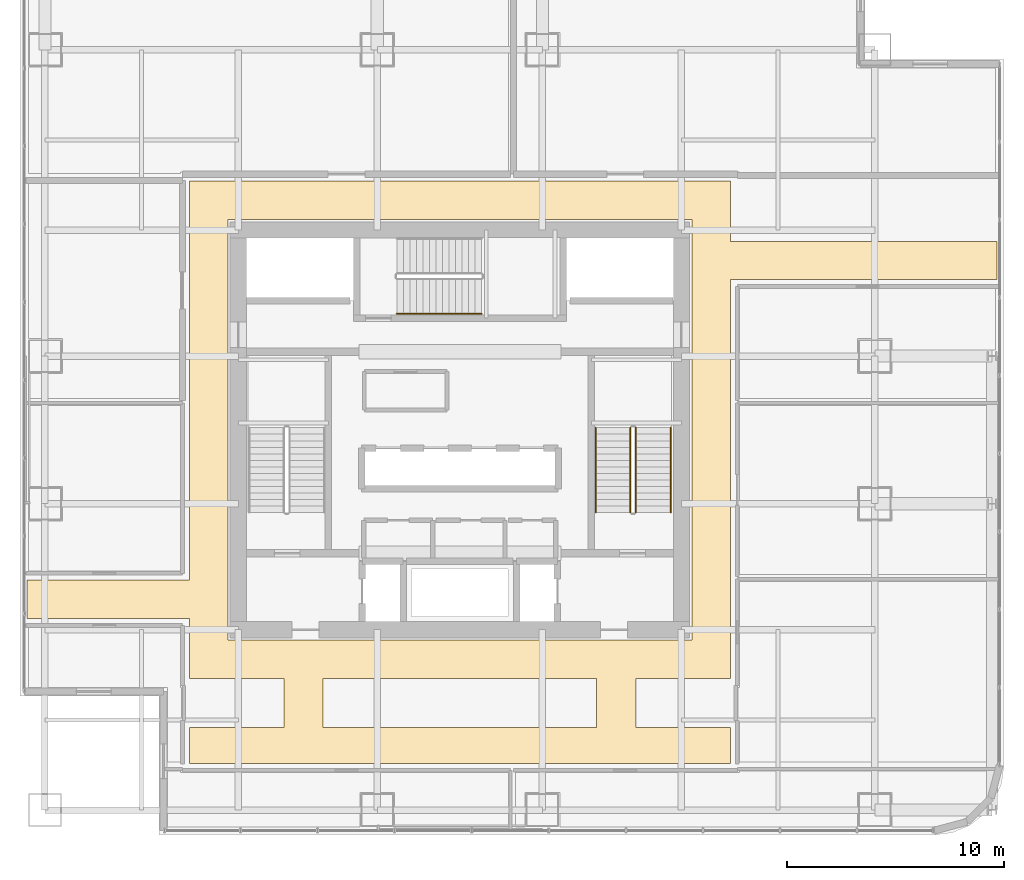
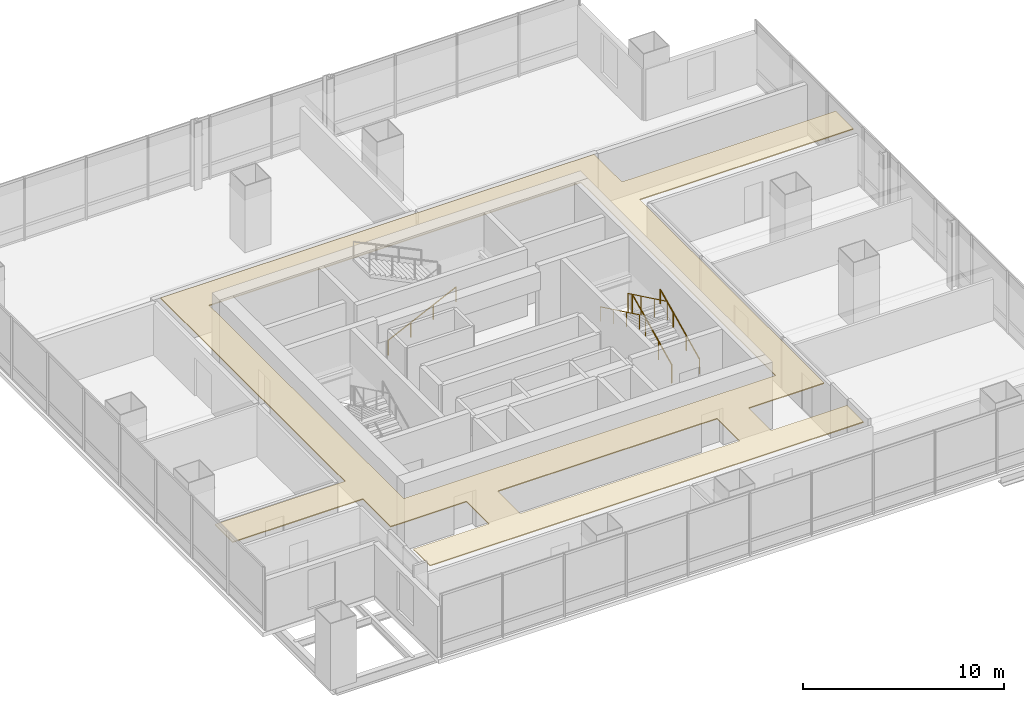
# One storey, part 33 of 35: 5 railings, 1 covering.
"""IFC4 building model written with IfcOpenShell, lengths in metres."""

import ifcopenshell
import ifcopenshell.guid

model = None  # the IFC model being written
_history = None  # IfcOwnerHistory: only IFC2X3 demands one
_inside = {}  # id of a spatial element -> (the spatial element, [elements in it])
_under = {}  # id of a project, library or spatial element -> (it, [spatial elements below it])
_declared = {}  # id of a project -> (the project, [libraries it declares])
_typed = {}  # id of a type object -> (the type object, [elements of that type])
_made_of = {}  # id of a material, layer set ... -> (it, [elements and type objects made of it])


def new_model(schema):
    """Start an empty IFC model of exactly this schema.

    Asked for "IFC4X3", IfcOpenShell would pick the latest addendum, in which some entities
    have other attributes; the version numbers below select the first issue.
    IFC2X3 requires an IfcOwnerHistory on every rooted entity: one is made here for all.
    """
    global model, _history
    if schema == "IFC4X3":
        model = ifcopenshell.file(schema_version=(4, 3, 0, 0))
    else:
        model = ifcopenshell.file(schema=schema)
    _inside.clear()
    _under.clear()
    _declared.clear()
    _typed.clear()
    _made_of.clear()
    _history = None
    if model.schema == "IFC2X3":
        org = make("IfcOrganization", Name="unknown")
        user = make(
            "IfcPersonAndOrganization",
            ThePerson=make("IfcPerson", FamilyName="unknown"),
            TheOrganization=org,
        )
        app = make(
            "IfcApplication",
            ApplicationDeveloper=org,
            Version="unknown",
            ApplicationFullName="unknown",
            ApplicationIdentifier="unknown",
        )
        _history = make(
            "IfcOwnerHistory",
            OwningUser=user,
            OwningApplication=app,
            ChangeAction="ADDED",
            CreationDate=0,
        )
    return model


def make(cls, **values):
    """One entity of the class cls with the attributes given. An attribute that is None is left unset."""
    return model.create_entity(
        cls, **{name: value for name, value in values.items() if value is not None}
    )


def rooted(cls, **values):
    """An entity with a GlobalId (a new one), such as an element, a storey or a relation."""
    return make(cls, GlobalId=ifcopenshell.guid.new(), OwnerHistory=_history, **values)


def si_unit(unit_type, name, prefix=None):
    """IfcSIUnit, for example si_unit("LENGTHUNIT", "METRE", prefix="MILLI")."""
    return make("IfcSIUnit", UnitType=unit_type, Prefix=prefix, Name=name)


def assignment(units):
    """IfcUnitAssignment: the units of a project."""
    return None if units is None else make("IfcUnitAssignment", Units=units)


def point(xyz):
    """IfcCartesianPoint."""
    return None if xyz is None else make("IfcCartesianPoint", Coordinates=xyz)


def direction(xyz):
    """IfcDirection."""
    return None if xyz is None else make("IfcDirection", DirectionRatios=xyz)


def frame(location, z_axis=None, x_axis=None):
    """IfcAxis2Placement3D, a coordinate frame: its origin and axes. An axis left out is left unset."""
    return make(
        "IfcAxis2Placement3D",
        Location=point(location),
        Axis=direction(z_axis),
        RefDirection=direction(x_axis),
    )


def frame_2d(location, x_axis=None):
    """IfcAxis2Placement2D, a coordinate frame in the plane: its origin and x axis."""
    return make(
        "IfcAxis2Placement2D", Location=point(location), RefDirection=direction(x_axis)
    )


def origin():
    """The frame at (0, 0, 0) with its axes left unset."""
    return frame((0.0, 0.0, 0.0))


def origin_2d():
    """The frame at (0, 0) in the plane with its x axis left unset."""
    return frame_2d((0.0, 0.0))


def place(relative_to, where):
    """IfcLocalPlacement: puts the frame where relative to a parent placement (None: the world)."""
    return make(
        "IfcLocalPlacement", PlacementRelTo=relative_to, RelativePlacement=where
    )


def context(
    kind, dimensions, precision=None, world=None, true_north=None, identifier=None
):
    """IfcGeometricRepresentationContext, for example the 3D "Model" context."""
    return make(
        "IfcGeometricRepresentationContext",
        ContextIdentifier=identifier,
        ContextType=kind,
        CoordinateSpaceDimension=dimensions,
        Precision=precision,
        WorldCoordinateSystem=world,
        TrueNorth=true_north,
    )


def subcontext(parent, identifier, kind, view, scale=None):
    """IfcGeometricRepresentationSubContext, for example "Body" below "Model"."""
    return make(
        "IfcGeometricRepresentationSubContext",
        ContextIdentifier=identifier,
        ContextType=kind,
        ParentContext=parent,
        TargetScale=scale,
        TargetView=view,
    )


def project(units=None, contexts=None):
    """IfcProject with its units and contexts."""
    return rooted(
        "IfcProject",
        Name="project",
        RepresentationContexts=contexts,
        UnitsInContext=assignment(units),
    )


def spatial(cls, under=None, at=None, **own):
    """A site, building, storey or space (cls), placed at a placement, below another one or the project."""
    s = rooted(cls, ObjectPlacement=at, **own)
    if under is not None:
        _under.setdefault(under.id(), (under, []))[1].append(s)
    return s


def polyline(points):
    """IfcPolyline through the points."""
    return make("IfcPolyline", Points=[point(p) for p in points])


def profile(cls, at=None, kind="AREA", **sizes):
    """A parametric profile (cls). Its sizes go by their IFC names, for example OverallWidth=200.0."""
    return make(cls, ProfileType=kind, Position=at, **sizes)


def circle(**sizes):
    """IfcCircleProfileDef."""
    return profile("IfcCircleProfileDef", **sizes)


def outline(outer, holes=None, kind="AREA"):
    """IfcArbitraryClosedProfileDef: a profile drawn as a closed curve; with holes, ...WithVoids."""
    if holes is None:
        return make("IfcArbitraryClosedProfileDef", ProfileType=kind, OuterCurve=outer)
    return make(
        "IfcArbitraryProfileDefWithVoids",
        ProfileType=kind,
        OuterCurve=outer,
        InnerCurves=holes,
    )


def extrude(swept, where, along, depth):
    """IfcExtrudedAreaSolid: the profile swept, set in the frame where, extruded along a direction by depth."""
    return make(
        "IfcExtrudedAreaSolid",
        SweptArea=swept,
        Position=where,
        ExtrudedDirection=direction(along),
        Depth=depth,
    )


def shape(context_of_items, identifier, shape_type, items):
    """IfcShapeRepresentation: the items that make up one representation, for example the "Body"."""
    return make(
        "IfcShapeRepresentation",
        ContextOfItems=context_of_items,
        RepresentationIdentifier=identifier,
        RepresentationType=shape_type,
        Items=items,
    )


def material(Name=None, Category=None):
    """IfcMaterial."""
    return make("IfcMaterial", Name=Name, Category=Category)


def layer(
    of_material, thickness, ventilated=None, Name=None, Category=None, Priority=None
):
    """IfcMaterialLayer: one layer of a wall or slab, of a material (None: an air gap)."""
    return make(
        "IfcMaterialLayer",
        Material=of_material,
        LayerThickness=thickness,
        IsVentilated=ventilated,
        Name=Name,
        Category=Category,
        Priority=Priority,
    )


def layer_set(layers, Name=None):
    """IfcMaterialLayerSet."""
    return make("IfcMaterialLayerSet", MaterialLayers=layers, LayerSetName=Name)


def made_of(thing, what):
    """Note that an element or type object is made of a material, layer set ...; save() writes the relation."""
    if what is not None:
        _made_of.setdefault(what.id(), (what, []))[1].append(thing)
    return thing


def type_object(cls, material=None, **own):
    """A type object (cls), such as IfcWallType, which elements share."""
    return made_of(rooted(cls, **own), material)


def element(
    cls,
    number,
    at=None,
    inside=None,
    cuts=None,
    type_object=None,
    material=None,
    context=None,
    identifier="Body",
    shape_type=None,
    held_by="IfcProductDefinitionShape",
    body=None,
    shapes=None,
    **own,
):
    """One element of the class cls, such as IfcWall. Its Tag is "e" and its number.

    at: its placement. inside: the storey or other place that contains it. cuts: it is an
    opening in that element (IfcRelVoidsElement). A single representation is given by context,
    identifier, shape_type and body (its items); several are given by shapes. held_by: the class
    of the entity that holds the representations. save() writes the other relations.
    """
    e = rooted(cls, Tag="e%d" % number, ObjectPlacement=at, **own)
    if body is not None:
        shapes = [shape(context, identifier, shape_type, body)]
    if shapes is not None:
        e.Representation = make(held_by, Representations=shapes)
    if inside is not None:
        _inside.setdefault(inside.id(), (inside, []))[1].append(e)
    if cuts is not None:
        rooted(
            "IfcRelVoidsElement", RelatingBuildingElement=cuts, RelatedOpeningElement=e
        )
    if type_object is not None:
        _typed.setdefault(type_object.id(), (type_object, []))[1].append(e)
    return made_of(e, material)


def aggregate(whole, parts):
    """IfcRelAggregates: a whole, such as a stair, and the parts it consists of."""
    return rooted("IfcRelAggregates", RelatingObject=whole, RelatedObjects=parts)


def save(model, path):
    """Write the relations noted so far, then the file.

    IfcRelAggregates (storeys below a building ...), IfcRelContainedInSpatialStructure (elements
    in a storey), IfcRelDefinesByType, IfcRelAssociatesMaterial and IfcRelDeclares: one each for
    every whole, place, type object, material and project.
    """
    for whole, parts in _under.values():
        aggregate(whole, parts)
    for where, things in _inside.values():
        rooted(
            "IfcRelContainedInSpatialStructure",
            RelatedElements=things,
            RelatingStructure=where,
        )
    for kind, things in _typed.values():
        rooted("IfcRelDefinesByType", RelatedObjects=things, RelatingType=kind)
    for what, things in _made_of.values():
        rooted("IfcRelAssociatesMaterial", RelatedObjects=things, RelatingMaterial=what)
    for by, libraries in _declared.values():
        rooted("IfcRelDeclares", RelatingContext=by, RelatedDefinitions=libraries)
    model.write(path)


model = new_model("IFC4")

# Units and contexts
model_context = context("Model", 3, precision=1e-05, world=origin(), true_north=direction((0.0, 1.0)))
body_context = subcontext(model_context, "Body", "Model", "MODEL_VIEW")
ifc_project = project(units=[si_unit("LENGTHUNIT", "METRE"), si_unit("AREAUNIT", "SQUARE_METRE"), si_unit("VOLUMEUNIT", "CUBIC_METRE"), si_unit("PLANEANGLEUNIT", "RADIAN"), si_unit("MASSUNIT", "GRAM", prefix="KILO")], contexts=[model_context])

# Site, building, storey
site_placement = place(None, origin())
site = spatial("IfcSite", under=ifc_project, at=site_placement, CompositionType="ELEMENT")
building_placement = place(site_placement, origin())
building = spatial("IfcBuilding", under=site, at=building_placement, Name="Punatoya Terracotta Tower", CompositionType="ELEMENT")
storey_placement = place(building_placement, frame((0.0, 0.0, 113.25)))
storey = spatial("IfcBuildingStorey", under=building, at=storey_placement, Name="L26", CompositionType="ELEMENT", Elevation=113.25)

# Covering
ifc_material_1 = material(Name="Acoustic Mineral Fibre Ceiling")
ifc_layer = layer(ifc_material_1, 0.06005859375)
ifc_layer_set = layer_set([ifc_layer], Name="Acoustic Mineral Fibre Ceiling")
covering_type = type_object("IfcCoveringType", Name="COV-CEIL-60", PredefinedType="CEILING", material=ifc_layer_set)
covering_placement = place(storey_placement, frame((0.0, 0.0, 3.199951171875)))
element("IfcCovering", 1, at=covering_placement, inside=storey, type_object=covering_type, Name="L26 Ring Circulation Corridor Acoustic Ceiling", PredefinedType="CEILING", context=body_context, shape_type="SweptSolid", body=[
    extrude(outline(polyline([(12.449951171875, -13.699951171875), (8.10009765625, -13.699951171875), (8.10009765625, -11.449951171875), (12.449951171875, -11.449951171875), (12.449951171875, 6.919921875), (24.72998046875, 6.919921875), (24.72998046875, 8.679931640625), (12.449951171875, 8.679931640625), (12.449951171875, 11.449951171875), (-12.449951171875, 11.449951171875), (-12.449951171875, -6.919921875), (-19.929931640625, -6.919921875), (-19.929931640625, -8.679931640625), (-12.449951171875, -8.679931640625), (-12.449951171875, -11.449951171875), (-8.10009765625, -11.449951171875), (-8.10009765625, -13.699951171875), (-12.449951171875, -13.699951171875), (-12.449951171875, -15.35009765625), (12.449951171875, -15.35009765625), (12.449951171875, -13.699951171875)]), holes=[polyline([(-10.679931640625, -9.679931640625), (-10.679931640625, 9.679931640625), (10.679931640625, 9.679931640625), (10.679931640625, -9.679931640625), (-10.679931640625, -9.679931640625)]), polyline([(-6.300048828125, -11.449951171875), (6.300048828125, -11.449951171875), (6.300048828125, -13.699951171875), (-6.300048828125, -13.699951171875), (-6.300048828125, -11.449951171875)])]), origin(), (0.0, 0.0, 1.0), 0.06005859375),
])

# Railings
ifc_material_2 = material(Name="Steel S355", Category="steel")
railing_type_1 = type_object("IfcRailingType", Name="RLG-GRD-1150", PredefinedType="GUARDRAIL", material=ifc_material_2)
railing_1_placement = place(storey_placement, frame((8.10009765625, -3.800048828125, 0.14453125)))
element("IfcRailing", 2, at=railing_1_placement, inside=storey, type_object=railing_type_1, Name="L26 ST-2 stair guard 1", PredefinedType="GUARDRAIL", context=body_context, shape_type="SweptSolid", body=[
    extrude(circle(Radius=0.02392578125, at=origin_2d()), frame((0.0, 0.0, 1.1259765625), z_axis=(0.0, 0.900773802044, 0.434288564841), x_axis=(-1.0, 0.0, 0.0)), (0.0, 0.0, 1.0), 4.329833984375),
    extrude(circle(Radius=0.02099609375, at=origin_2d()), origin(), (0.0, 0.0, 1.0), 1.101806640625),
    extrude(circle(Radius=0.02099609375, at=origin_2d()), frame((0.0, 1.300048828125, 0.626708984375)), (0.0, 0.0, 1.0), 1.101806640625),
    extrude(circle(Radius=0.02099609375, at=origin_2d()), frame((0.0, 2.60009765625, 1.253662109375)), (0.0, 0.0, 1.0), 1.101806640625),
    extrude(circle(Radius=0.02099609375, at=origin_2d()), frame((0.0, 3.900146484375, 1.88037109375)), (0.0, 0.0, 1.0), 1.101806640625),
])
railing_2_placement = place(storey_placement, frame((7.85009765625, 0.10009765625, 2.169677734375)))
element("IfcRailing", 3, at=railing_2_placement, inside=storey, type_object=railing_type_1, Name="L26 ST-2 stair guard 3", PredefinedType="GUARDRAIL", context=body_context, shape_type="SweptSolid", body=[
    extrude(circle(Radius=0.02392578125, at=origin_2d()), frame((0.0, 0.0, 1.1259765625), z_axis=(0.0, -0.900773802044, 0.434288564841), x_axis=(1.0, 0.0, 0.0)), (0.0, 0.0, 1.0), 4.329833984375),
    extrude(circle(Radius=0.02099609375, at=origin_2d()), origin(), (0.0, 0.0, 1.0), 1.101806640625),
    extrude(circle(Radius=0.02099609375, at=origin_2d()), frame((0.0, -1.300048828125, 0.626708984375)), (0.0, 0.0, 1.0), 1.101806640625),
    extrude(circle(Radius=0.02099609375, at=origin_2d()), frame((0.0, -2.60009765625, 1.253662109375)), (0.0, 0.0, 1.0), 1.101806640625),
    extrude(circle(Radius=0.02099609375, at=origin_2d()), frame((0.0, -3.900146484375, 1.88037109375)), (0.0, 0.0, 1.0), 1.101806640625),
])
railing_type_2 = type_object("IfcRailingType", Name="RLG-HND-900", PredefinedType="HANDRAIL", material=ifc_material_2)
railing_3_placement = place(storey_placement, frame((9.699951171875, -3.800048828125, 0.14453125)))
element("IfcRailing", 4, at=railing_3_placement, inside=storey, type_object=railing_type_2, Name="L26 ST-2 stair handrail 1", PredefinedType="HANDRAIL", context=body_context, shape_type="SweptSolid", body=[
    extrude(circle(Radius=0.02392578125, at=origin_2d()), frame((0.0, 0.0, 0.8759765625), z_axis=(0.0, 0.900773802044, 0.434288564841), x_axis=(-1.0, 0.0, 0.0)), (0.0, 0.0, 1.0), 4.329833984375),
    extrude(circle(Radius=0.02099609375, at=origin_2d()), origin(), (0.0, 0.0, 1.0), 0.851806640625),
    extrude(circle(Radius=0.02099609375, at=origin_2d()), frame((0.0, 1.300048828125, 0.626708984375)), (0.0, 0.0, 1.0), 0.851806640625),
    extrude(circle(Radius=0.02099609375, at=origin_2d()), frame((0.0, 2.60009765625, 1.253662109375)), (0.0, 0.0, 1.0), 0.851806640625),
    extrude(circle(Radius=0.02099609375, at=origin_2d()), frame((0.0, 3.900146484375, 1.88037109375)), (0.0, 0.0, 1.0), 0.851806640625),
])
railing_4_placement = place(storey_placement, frame((6.25, 0.10009765625, 2.169677734375)))
element("IfcRailing", 5, at=railing_4_placement, inside=storey, type_object=railing_type_2, Name="L26 ST-2 stair handrail 2", PredefinedType="HANDRAIL", context=body_context, shape_type="SweptSolid", body=[
    extrude(circle(Radius=0.02392578125, at=origin_2d()), frame((0.0, 0.0, 0.8759765625), z_axis=(0.0, -0.900773802044, 0.434288564841), x_axis=(1.0, 0.0, 0.0)), (0.0, 0.0, 1.0), 4.329833984375),
    extrude(circle(Radius=0.02099609375, at=origin_2d()), origin(), (0.0, 0.0, 1.0), 0.851806640625),
    extrude(circle(Radius=0.02099609375, at=origin_2d()), frame((0.0, -1.300048828125, 0.626708984375)), (0.0, 0.0, 1.0), 0.851806640625),
    extrude(circle(Radius=0.02099609375, at=origin_2d()), frame((0.0, -2.60009765625, 1.253662109375)), (0.0, 0.0, 1.0), 0.851806640625),
    extrude(circle(Radius=0.02099609375, at=origin_2d()), frame((0.0, -3.900146484375, 1.88037109375)), (0.0, 0.0, 1.0), 0.851806640625),
])
railing_5_placement = place(storey_placement, frame((-2.89990234375, 5.35009765625, 0.14453125)))
element("IfcRailing", 6, at=railing_5_placement, inside=storey, type_object=railing_type_2, Name="L26 ST-3 stair handrail 1", PredefinedType="HANDRAIL", context=body_context, shape_type="SweptSolid", body=[
    extrude(circle(Radius=0.02392578125, at=origin_2d()), frame((0.0, 0.0, 0.8759765625), z_axis=(0.900763166376, 0.0, 0.434310623978), x_axis=(0.0, 1.0, 0.0)), (0.0, 0.0, 1.0), 4.32958984375),
    extrude(circle(Radius=0.02099609375, at=origin_2d()), origin(), (0.0, 0.0, 1.0), 0.851806640625),
    extrude(circle(Radius=0.02099609375, at=origin_2d()), frame((1.300048828125, 0.0, 0.626708984375)), (0.0, 0.0, 1.0), 0.851806640625),
    extrude(circle(Radius=0.02099609375, at=origin_2d()), frame((2.599853515625, 0.0, 1.253662109375)), (0.0, 0.0, 1.0), 0.851806640625),
    extrude(circle(Radius=0.02099609375, at=origin_2d()), frame((3.89990234375, 0.0, 1.88037109375)), (0.0, 0.0, 1.0), 0.851806640625),
])

save(model, "model.ifc")
